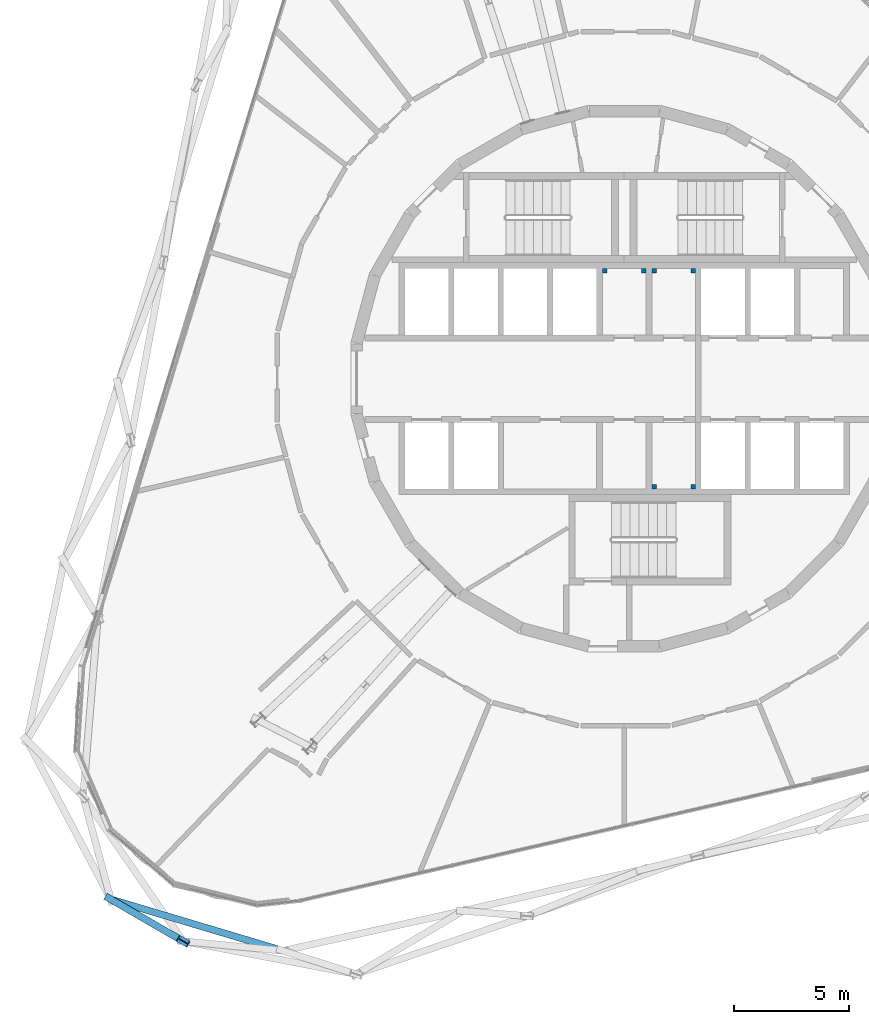
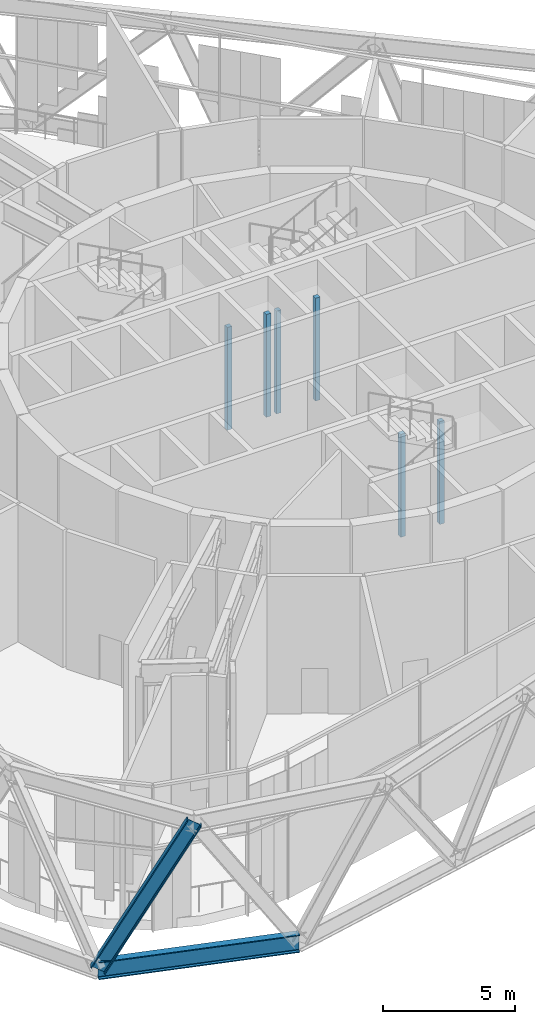
# One storey, part 1 of 25: 6 columns, 2 members.
"""IFC4 building model written with IfcOpenShell, lengths in metres."""

from ifc_helpers import new_model, si_unit, direction, frame, origin, origin_2d, place, context, subcontext, project, spatial, rectangle, i_section, extrude, material, material_profile, profile_set, type_object, element, save


model = new_model("IFC4")

# Units and contexts
model_context = context("Model", 3, precision=1e-05, world=origin(), true_north=direction((0.0, 1.0)))
body_context = subcontext(model_context, "Body", "Model", "MODEL_VIEW")
ifc_project = project(units=[si_unit("LENGTHUNIT", "METRE"), si_unit("AREAUNIT", "SQUARE_METRE"), si_unit("VOLUMEUNIT", "CUBIC_METRE"), si_unit("PLANEANGLEUNIT", "RADIAN"), si_unit("MASSUNIT", "GRAM", prefix="KILO")], contexts=[model_context])

# Site, building, storey
site_placement = place(None, origin())
site = spatial("IfcSite", under=ifc_project, at=site_placement, CompositionType="ELEMENT")
building_placement = place(site_placement, origin())
building = spatial("IfcBuilding", under=site, at=building_placement, Name="Spindle Arch Residences", CompositionType="ELEMENT")
storey_placement = place(building_placement, frame((0.0, 0.0, 144.89990234375)))
storey = spatial("IfcBuildingStorey", under=building, at=storey_placement, Name="L36", CompositionType="ELEMENT", Elevation=144.89990234375)

# Columns
ifc_material_1 = material(Name="Concrete C50/60", Category="concrete")
ifc_material_profile_1 = material_profile(ifc_material_1, rectangle(XDim=0.199951171875, YDim=0.199951171875, at=origin_2d()), Name="RC 200x200")
ifc_profile_set_1 = profile_set([ifc_material_profile_1], Name="Concrete C50/60")
column_type = type_object("IfcColumnType", Name="Pit pier 200x200", PredefinedType="COLUMN", material=ifc_profile_set_1)
for number, where, z_axis, x_axis, name in (
    (1, (-0.85009765625, 4.699951171875, 0.0), (0.0, 0.0, 1.0), (1.0, 0.0, 0.0), "Pit pier M1-1"),
    (2, (0.85009765625, 4.699951171875, 0.0), (0.0, 0.0, 1.0), (1.0, 0.0, 0.0), "Pit pier M1-2"),
    (3, (1.300048828125, 4.699951171875, 0.0), (0.0, 0.0, 1.0), (1.0, 0.0, 0.0), "Pit pier M2-1"),
    (4, (3.0, 4.699951171875, 0.0), (0.0, 0.0, 1.0), (1.0, 0.0, 0.0), "Pit pier M2-2"),
    (5, (1.300048828125, -4.699951171875, 0.0), (0.0, 0.0, 1.0), (1.0, 0.0, 0.0), "Pit pier M3-1"),
    (6, (3.0, -4.699951171875, 0.0), (0.0, 0.0, 1.0), (1.0, 0.0, 0.0), "Pit pier M3-2"),
):
    element("IfcColumn", number, at=place(storey_placement, frame(where, z_axis=z_axis, x_axis=x_axis)), inside=storey, type_object=column_type, Name=name, PredefinedType="COLUMN", context=body_context, shape_type="SweptSolid", body=[
        extrude(rectangle(XDim=0.199951171875, YDim=0.199951171875, at=origin_2d()), origin(), (0.0, 0.0, 1.0), 4.75),
    ])

# Members
ifc_material_2 = material(Name="Steel S460ML, intumescent coating R 240", Category="steel")
ifc_material_profile_2 = material_profile(ifc_material_2, i_section(OverallWidth=0.302978515625, OverallDepth=0.81396484375, WebThickness=0.02099609375, FlangeThickness=0.0400390625, FilletRadius=0.030029296875, at=origin_2d()), Name="HEM 800")
ifc_profile_set_2 = profile_set([ifc_material_profile_2], Name="Steel S460ML, intumescent coating R 240")
member_type_1 = type_object("IfcMemberType", Name="Belt truss chord HEM 800", PredefinedType="CHORD", material=ifc_profile_set_2)
member_1_placement = place(storey_placement, frame((-22.34228515625, -22.65869140625, -0.85693359375), z_axis=(0.958147074337, -0.286276411776, 0.0), x_axis=(0.286276411776, 0.958147074337, 0.0)))
element("IfcMember", 7, at=member_1_placement, inside=storey, type_object=member_type_1, Name="Belt truss bottom chord L36.19", PredefinedType="CHORD", context=body_context, shape_type="SweptSolid", body=[
    extrude(i_section(OverallWidth=0.302978515625, OverallDepth=0.81396484375, WebThickness=0.02099609375, FlangeThickness=0.0400390625, FilletRadius=0.030029296875, at=origin_2d()), origin(), (0.0, 0.0, 1.0), 7.8193359375),
])
ifc_material_3 = material(Name="Steel S460ML, intumescent coating R 240", Category="steel")
ifc_material_profile_3 = material_profile(ifc_material_3, i_section(OverallWidth=0.304931640625, OverallDepth=0.6201171875, WebThickness=0.02099609375, FlangeThickness=0.0400390625, FilletRadius=0.027099609375, at=origin_2d()), Name="HEM 600")
ifc_profile_set_3 = profile_set([ifc_material_profile_3], Name="Steel S460ML, intumescent coating R 240")
member_type_2 = type_object("IfcMemberType", Name="Belt truss diagonal HEM 600", PredefinedType="BRACE", material=ifc_profile_set_3)
member_2_placement = place(storey_placement, frame((-22.34228515625, -22.65869140625, -0.85693359375), z_axis=(0.408418328025, -0.236479371361, 0.881630294542), x_axis=(0.501078571236, 0.865401794225, 0.0)))
element("IfcMember", 8, at=member_2_placement, inside=storey, type_object=member_type_2, Name="Belt truss diagonal L36.19.19", PredefinedType="BRACE", context=body_context, shape_type="SweptSolid", body=[
    extrude(i_section(OverallWidth=0.304931640625, OverallDepth=0.6201171875, WebThickness=0.02099609375, FlangeThickness=0.0400390625, FilletRadius=0.027099609375, at=origin_2d()), origin(), (0.0, 0.0, 1.0), 7.713134765625),
])

save(model, "model.ifc")
